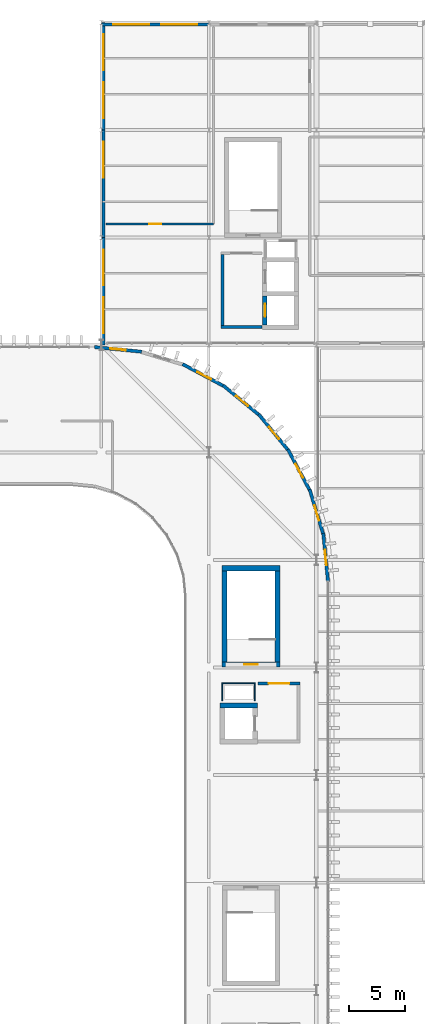
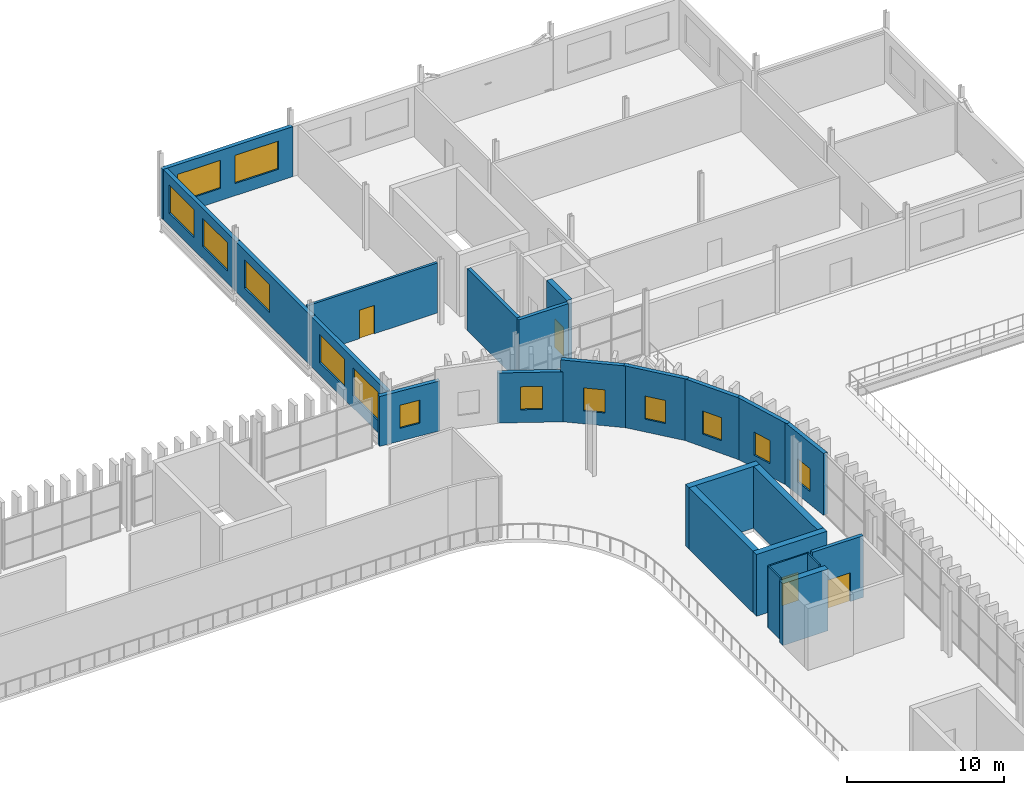
# One storey, part 35 of 45: 24 walls, 14 windows, 4 doors, 18 openings.
"""IFC4 building model written with IfcOpenShell, lengths in metres."""

import ifcopenshell
import ifcopenshell.guid

model = None  # the IFC model being written
_history = None  # IfcOwnerHistory: only IFC2X3 demands one
_inside = {}  # id of a spatial element -> (the spatial element, [elements in it])
_under = {}  # id of a project, library or spatial element -> (it, [spatial elements below it])
_declared = {}  # id of a project -> (the project, [libraries it declares])
_typed = {}  # id of a type object -> (the type object, [elements of that type])
_made_of = {}  # id of a material, layer set ... -> (it, [elements and type objects made of it])


def new_model(schema):
    """Start an empty IFC model of exactly this schema.

    Asked for "IFC4X3", IfcOpenShell would pick the latest addendum, in which some entities
    have other attributes; the version numbers below select the first issue.
    IFC2X3 requires an IfcOwnerHistory on every rooted entity: one is made here for all.
    """
    global model, _history
    if schema == "IFC4X3":
        model = ifcopenshell.file(schema_version=(4, 3, 0, 0))
    else:
        model = ifcopenshell.file(schema=schema)
    _inside.clear()
    _under.clear()
    _declared.clear()
    _typed.clear()
    _made_of.clear()
    _history = None
    if model.schema == "IFC2X3":
        org = make("IfcOrganization", Name="unknown")
        user = make(
            "IfcPersonAndOrganization",
            ThePerson=make("IfcPerson", FamilyName="unknown"),
            TheOrganization=org,
        )
        app = make(
            "IfcApplication",
            ApplicationDeveloper=org,
            Version="unknown",
            ApplicationFullName="unknown",
            ApplicationIdentifier="unknown",
        )
        _history = make(
            "IfcOwnerHistory",
            OwningUser=user,
            OwningApplication=app,
            ChangeAction="ADDED",
            CreationDate=0,
        )
    return model


def make(cls, **values):
    """One entity of the class cls with the attributes given. An attribute that is None is left unset."""
    return model.create_entity(
        cls, **{name: value for name, value in values.items() if value is not None}
    )


def rooted(cls, **values):
    """An entity with a GlobalId (a new one), such as an element, a storey or a relation."""
    return make(cls, GlobalId=ifcopenshell.guid.new(), OwnerHistory=_history, **values)


def si_unit(unit_type, name, prefix=None):
    """IfcSIUnit, for example si_unit("LENGTHUNIT", "METRE", prefix="MILLI")."""
    return make("IfcSIUnit", UnitType=unit_type, Prefix=prefix, Name=name)


def assignment(units):
    """IfcUnitAssignment: the units of a project."""
    return None if units is None else make("IfcUnitAssignment", Units=units)


def point(xyz):
    """IfcCartesianPoint."""
    return None if xyz is None else make("IfcCartesianPoint", Coordinates=xyz)


def direction(xyz):
    """IfcDirection."""
    return None if xyz is None else make("IfcDirection", DirectionRatios=xyz)


def frame(location, z_axis=None, x_axis=None):
    """IfcAxis2Placement3D, a coordinate frame: its origin and axes. An axis left out is left unset."""
    return make(
        "IfcAxis2Placement3D",
        Location=point(location),
        Axis=direction(z_axis),
        RefDirection=direction(x_axis),
    )


def frame_2d(location, x_axis=None):
    """IfcAxis2Placement2D, a coordinate frame in the plane: its origin and x axis."""
    return make(
        "IfcAxis2Placement2D", Location=point(location), RefDirection=direction(x_axis)
    )


def origin():
    """The frame at (0, 0, 0) with its axes left unset."""
    return frame((0.0, 0.0, 0.0))


def place(relative_to, where):
    """IfcLocalPlacement: puts the frame where relative to a parent placement (None: the world)."""
    return make(
        "IfcLocalPlacement", PlacementRelTo=relative_to, RelativePlacement=where
    )


def context(
    kind, dimensions, precision=None, world=None, true_north=None, identifier=None
):
    """IfcGeometricRepresentationContext, for example the 3D "Model" context."""
    return make(
        "IfcGeometricRepresentationContext",
        ContextIdentifier=identifier,
        ContextType=kind,
        CoordinateSpaceDimension=dimensions,
        Precision=precision,
        WorldCoordinateSystem=world,
        TrueNorth=true_north,
    )


def subcontext(parent, identifier, kind, view, scale=None):
    """IfcGeometricRepresentationSubContext, for example "Body" below "Model"."""
    return make(
        "IfcGeometricRepresentationSubContext",
        ContextIdentifier=identifier,
        ContextType=kind,
        ParentContext=parent,
        TargetScale=scale,
        TargetView=view,
    )


def project(units=None, contexts=None):
    """IfcProject with its units and contexts."""
    return rooted(
        "IfcProject",
        Name="project",
        RepresentationContexts=contexts,
        UnitsInContext=assignment(units),
    )


def spatial(cls, under=None, at=None, **own):
    """A site, building, storey or space (cls), placed at a placement, below another one or the project."""
    s = rooted(cls, ObjectPlacement=at, **own)
    if under is not None:
        _under.setdefault(under.id(), (under, []))[1].append(s)
    return s


def profile(cls, at=None, kind="AREA", **sizes):
    """A parametric profile (cls). Its sizes go by their IFC names, for example OverallWidth=200.0."""
    return make(cls, ProfileType=kind, Position=at, **sizes)


def rectangle(**sizes):
    """IfcRectangleProfileDef."""
    return profile("IfcRectangleProfileDef", **sizes)


def extrude(swept, where, along, depth):
    """IfcExtrudedAreaSolid: the profile swept, set in the frame where, extruded along a direction by depth."""
    return make(
        "IfcExtrudedAreaSolid",
        SweptArea=swept,
        Position=where,
        ExtrudedDirection=direction(along),
        Depth=depth,
    )


def shape(context_of_items, identifier, shape_type, items):
    """IfcShapeRepresentation: the items that make up one representation, for example the "Body"."""
    return make(
        "IfcShapeRepresentation",
        ContextOfItems=context_of_items,
        RepresentationIdentifier=identifier,
        RepresentationType=shape_type,
        Items=items,
    )


def material(Name=None, Category=None):
    """IfcMaterial."""
    return make("IfcMaterial", Name=Name, Category=Category)


def layer(
    of_material, thickness, ventilated=None, Name=None, Category=None, Priority=None
):
    """IfcMaterialLayer: one layer of a wall or slab, of a material (None: an air gap)."""
    return make(
        "IfcMaterialLayer",
        Material=of_material,
        LayerThickness=thickness,
        IsVentilated=ventilated,
        Name=Name,
        Category=Category,
        Priority=Priority,
    )


def layer_set(layers, Name=None):
    """IfcMaterialLayerSet."""
    return make("IfcMaterialLayerSet", MaterialLayers=layers, LayerSetName=Name)


def made_of(thing, what):
    """Note that an element or type object is made of a material, layer set ...; save() writes the relation."""
    if what is not None:
        _made_of.setdefault(what.id(), (what, []))[1].append(thing)
    return thing


def type_object(cls, material=None, **own):
    """A type object (cls), such as IfcWallType, which elements share."""
    return made_of(rooted(cls, **own), material)


def element(
    cls,
    number,
    at=None,
    inside=None,
    cuts=None,
    type_object=None,
    material=None,
    context=None,
    identifier="Body",
    shape_type=None,
    held_by="IfcProductDefinitionShape",
    body=None,
    shapes=None,
    **own,
):
    """One element of the class cls, such as IfcWall. Its Tag is "e" and its number.

    at: its placement. inside: the storey or other place that contains it. cuts: it is an
    opening in that element (IfcRelVoidsElement). A single representation is given by context,
    identifier, shape_type and body (its items); several are given by shapes. held_by: the class
    of the entity that holds the representations. save() writes the other relations.
    """
    e = rooted(cls, Tag="e%d" % number, ObjectPlacement=at, **own)
    if body is not None:
        shapes = [shape(context, identifier, shape_type, body)]
    if shapes is not None:
        e.Representation = make(held_by, Representations=shapes)
    if inside is not None:
        _inside.setdefault(inside.id(), (inside, []))[1].append(e)
    if cuts is not None:
        rooted(
            "IfcRelVoidsElement", RelatingBuildingElement=cuts, RelatedOpeningElement=e
        )
    if type_object is not None:
        _typed.setdefault(type_object.id(), (type_object, []))[1].append(e)
    return made_of(e, material)


def fill(opening, filler):
    """IfcRelFillsElement: the door or window that sits in an opening."""
    return rooted(
        "IfcRelFillsElement",
        RelatingOpeningElement=opening,
        RelatedBuildingElement=filler,
    )


def aggregate(whole, parts):
    """IfcRelAggregates: a whole, such as a stair, and the parts it consists of."""
    return rooted("IfcRelAggregates", RelatingObject=whole, RelatedObjects=parts)


def save(model, path):
    """Write the relations noted so far, then the file.

    IfcRelAggregates (storeys below a building ...), IfcRelContainedInSpatialStructure (elements
    in a storey), IfcRelDefinesByType, IfcRelAssociatesMaterial and IfcRelDeclares: one each for
    every whole, place, type object, material and project.
    """
    for whole, parts in _under.values():
        aggregate(whole, parts)
    for where, things in _inside.values():
        rooted(
            "IfcRelContainedInSpatialStructure",
            RelatedElements=things,
            RelatingStructure=where,
        )
    for kind, things in _typed.values():
        rooted("IfcRelDefinesByType", RelatedObjects=things, RelatingType=kind)
    for what, things in _made_of.values():
        rooted("IfcRelAssociatesMaterial", RelatedObjects=things, RelatingMaterial=what)
    for by, libraries in _declared.values():
        rooted("IfcRelDeclares", RelatingContext=by, RelatedDefinitions=libraries)
    model.write(path)


model = new_model("IFC4")

# Units and contexts
model_context = context("Model", 3, precision=1e-05, world=origin(), true_north=direction((0.0, 1.0)))
body_context = subcontext(model_context, "Body", "Model", "MODEL_VIEW")
ifc_project = project(units=[si_unit("LENGTHUNIT", "METRE"), si_unit("AREAUNIT", "SQUARE_METRE"), si_unit("VOLUMEUNIT", "CUBIC_METRE"), si_unit("PLANEANGLEUNIT", "RADIAN"), si_unit("MASSUNIT", "GRAM", prefix="KILO")], contexts=[model_context])

# Site, building, storey
site_placement = place(None, origin())
site = spatial("IfcSite", under=ifc_project, at=site_placement, CompositionType="ELEMENT")
building_placement = place(site_placement, origin())
building = spatial("IfcBuilding", under=site, at=building_placement, Name="Caelomonte Colonnade Arena", CompositionType="ELEMENT")
storey_placement = place(building_placement, frame((0.0, 0.0, 23.10009765625)))
storey = spatial("IfcBuildingStorey", under=building, at=storey_placement, Name="L05", CompositionType="ELEMENT", Elevation=23.10009765625)

# Wall, openings, windows
ifc_material_1 = material(Name="Precast concrete C40/50", Category="concrete")
ifc_layer_1 = layer(ifc_material_1, 0.2900390625)
ifc_layer_set_1 = layer_set([ifc_layer_1], Name="Precast concrete C40/50")
wall_type_1 = type_object("IfcWallType", Name="ENV-WL-EXT29", PredefinedType="SOLIDWALL", material=ifc_layer_set_1)
wall_1_placement = place(storey_placement, frame((153.60009765625, 143.820068359375, 0.0), z_axis=(0.0, 0.0, 1.0), x_axis=(-1.0, 0.0, 0.0)))
wall_1 = element("IfcWall", 1, at=wall_1_placement, inside=storey, type_object=wall_type_1, Name="L05 exterior wall EW-L05-0335", PredefinedType="SOLIDWALL", context=body_context, shape_type="SweptSolid", body=[
    extrude(rectangle(XDim=9.60009765625, YDim=0.2900390625, at=frame_2d((4.800048828125, 0.0))), origin(), (0.0, 0.0, 1.0), 3.905517578125),
])
opening_1_placement = place(wall_1_placement, frame((4.2666015625, 0.0, 0.949951171875), z_axis=(0.0, 0.0, 1.0), x_axis=(-1.0, 0.0, 0.0)))
opening_1 = element("IfcOpeningElement", 2, at=opening_1_placement, cuts=wall_1, Name="Opening WN-15", PredefinedType="OPENING", context=body_context, shape_type="SweptSolid", body=[
    extrude(rectangle(XDim=3.199951171875, YDim=2.199951171875, at=frame_2d((1.60009765625, 1.10009765625))), frame((0.0, 0.155029296875, 0.0), z_axis=(0.0, -1.0, 0.0), x_axis=(1.0, 0.0, 0.0)), (0.0, 0.0, 1.0), 0.31005859375),
])
opening_2_placement = place(wall_1_placement, frame((8.533203125, 0.0, 0.949951171875), z_axis=(0.0, 0.0, 1.0), x_axis=(-1.0, 0.0, 0.0)))
opening_2 = element("IfcOpeningElement", 3, at=opening_2_placement, cuts=wall_1, Name="Opening WN-15", PredefinedType="OPENING", context=body_context, shape_type="SweptSolid", body=[
    extrude(rectangle(XDim=3.199951171875, YDim=2.199951171875, at=frame_2d((1.60009765625, 1.10009765625))), frame((0.0, 0.155029296875, 0.0), z_axis=(0.0, -1.0, 0.0), x_axis=(1.0, 0.0, 0.0)), (0.0, 0.0, 1.0), 0.31005859375),
])
ifc_material_2 = material(Name="Solar-control bronze low-E double glazing", Category="glass")
window_type_1 = type_object("IfcWindowType", Name="ENV-WN-MED", PartitioningType="TRIPLE_PANEL_VERTICAL", PredefinedType="WINDOW", material=ifc_material_2)
window_1_placement = place(opening_1_placement, origin())
window_1 = element("IfcWindow", 4, at=window_1_placement, inside=storey, type_object=window_type_1, Name="L05 facade window 291", OverallHeight=2.199951171875, OverallWidth=3.199951171875, PartitioningType="SINGLE_PANEL", PredefinedType="WINDOW", context=body_context, shape_type="SweptSolid", body=[
    extrude(rectangle(XDim=3.199951171875, YDim=2.199951171875, at=frame_2d((1.60009765625, 1.10009765625))), frame((0.0, 0.030029296875, 0.0), z_axis=(0.0, -1.0, 0.0), x_axis=(1.0, 0.0, 0.0)), (0.0, 0.0, 1.0), 0.06005859375),
])
fill(opening_1, window_1)
window_2_placement = place(opening_2_placement, origin())
window_2 = element("IfcWindow", 5, at=window_2_placement, inside=storey, type_object=window_type_1, Name="L05 facade window 292", OverallHeight=2.199951171875, OverallWidth=3.199951171875, PartitioningType="SINGLE_PANEL", PredefinedType="WINDOW", context=body_context, shape_type="SweptSolid", body=[
    extrude(rectangle(XDim=3.199951171875, YDim=2.199951171875, at=frame_2d((1.60009765625, 1.10009765625))), frame((0.0, 0.030029296875, 0.0), z_axis=(0.0, -1.0, 0.0), x_axis=(1.0, 0.0, 0.0)), (0.0, 0.0, 1.0), 0.06005859375),
])
fill(opening_2, window_2)

wall_2_placement = place(storey_placement, frame((144.179931640625, 144.0, 0.0), z_axis=(0.0, 0.0, 1.0), x_axis=(0.0, -1.0, 0.0)))
wall_2 = element("IfcWall", 6, at=wall_2_placement, inside=storey, type_object=wall_type_1, Name="L05 exterior wall EW-L05-0336", PredefinedType="SOLIDWALL", context=body_context, shape_type="SweptSolid", body=[
    extrude(rectangle(XDim=9.60009765625, YDim=0.2900390625, at=frame_2d((4.800048828125, 0.0))), origin(), (0.0, 0.0, 1.0), 3.905517578125),
])
opening_3_placement = place(wall_2_placement, frame((4.2666015625, 0.0, 0.949951171875), z_axis=(0.0, 0.0, 1.0), x_axis=(-1.0, 0.0, 0.0)))
opening_3 = element("IfcOpeningElement", 7, at=opening_3_placement, cuts=wall_2, Name="Opening WN-15", PredefinedType="OPENING", context=body_context, shape_type="SweptSolid", body=[
    extrude(rectangle(XDim=3.199951171875, YDim=2.199951171875, at=frame_2d((1.60009765625, 1.10009765625))), frame((0.0, 0.155029296875, 0.0), z_axis=(0.0, -1.0, 0.0), x_axis=(1.0, 0.0, 0.0)), (0.0, 0.0, 1.0), 0.31005859375),
])
opening_4_placement = place(wall_2_placement, frame((8.533203125, 0.0, 0.949951171875), z_axis=(0.0, 0.0, 1.0), x_axis=(-1.0, 0.0, 0.0)))
opening_4 = element("IfcOpeningElement", 8, at=opening_4_placement, cuts=wall_2, Name="Opening WN-15", PredefinedType="OPENING", context=body_context, shape_type="SweptSolid", body=[
    extrude(rectangle(XDim=3.199951171875, YDim=2.199951171875, at=frame_2d((1.60009765625, 1.10009765625))), frame((0.0, 0.155029296875, 0.0), z_axis=(0.0, -1.0, 0.0), x_axis=(1.0, 0.0, 0.0)), (0.0, 0.0, 1.0), 0.31005859375),
])
window_3_placement = place(opening_3_placement, origin())
window_3 = element("IfcWindow", 9, at=window_3_placement, inside=storey, type_object=window_type_1, Name="L05 facade window 293", OverallHeight=2.199951171875, OverallWidth=3.199951171875, PartitioningType="SINGLE_PANEL", PredefinedType="WINDOW", context=body_context, shape_type="SweptSolid", body=[
    extrude(rectangle(XDim=3.199951171875, YDim=2.199951171875, at=frame_2d((1.60009765625, 1.10009765625))), frame((0.0, 0.030029296875, 0.0), z_axis=(0.0, -1.0, 0.0), x_axis=(1.0, 0.0, 0.0)), (0.0, 0.0, 1.0), 0.06005859375),
])
fill(opening_3, window_3)
window_4_placement = place(opening_4_placement, origin())
window_4 = element("IfcWindow", 10, at=window_4_placement, inside=storey, type_object=window_type_1, Name="L05 facade window 294", OverallHeight=2.199951171875, OverallWidth=3.199951171875, PartitioningType="SINGLE_PANEL", PredefinedType="WINDOW", context=body_context, shape_type="SweptSolid", body=[
    extrude(rectangle(XDim=3.199951171875, YDim=2.199951171875, at=frame_2d((1.60009765625, 1.10009765625))), frame((0.0, 0.030029296875, 0.0), z_axis=(0.0, -1.0, 0.0), x_axis=(1.0, 0.0, 0.0)), (0.0, 0.0, 1.0), 0.06005859375),
])
fill(opening_4, window_4)

# Wall, opening, window
wall_3_placement = place(storey_placement, frame((144.179931640625, 134.39990234375, 0.0), z_axis=(0.0, 0.0, 1.0), x_axis=(0.0, -1.0, 0.0)))
wall_3 = element("IfcWall", 11, at=wall_3_placement, inside=storey, type_object=wall_type_1, Name="L05 exterior wall EW-L05-0337", PredefinedType="SOLIDWALL", context=body_context, shape_type="SweptSolid", body=[
    extrude(rectangle(XDim=9.599853515625, YDim=0.2900390625, at=frame_2d((4.7998046875, 0.0))), origin(), (0.0, 0.0, 1.0), 3.905517578125),
])
opening_5_placement = place(wall_3_placement, frame((4.2666015625, 0.0, 0.949951171875), z_axis=(0.0, 0.0, 1.0), x_axis=(-1.0, 0.0, 0.0)))
opening_5 = element("IfcOpeningElement", 12, at=opening_5_placement, cuts=wall_3, Name="Opening WN-15", PredefinedType="OPENING", context=body_context, shape_type="SweptSolid", body=[
    extrude(rectangle(XDim=3.199951171875, YDim=2.199951171875, at=frame_2d((1.60009765625, 1.10009765625))), frame((0.0, 0.155029296875, 0.0), z_axis=(0.0, -1.0, 0.0), x_axis=(1.0, 0.0, 0.0)), (0.0, 0.0, 1.0), 0.31005859375),
])
window_5_placement = place(opening_5_placement, origin())
window_5 = element("IfcWindow", 13, at=window_5_placement, inside=storey, type_object=window_type_1, Name="L05 facade window 295", OverallHeight=2.199951171875, OverallWidth=3.199951171875, PartitioningType="SINGLE_PANEL", PredefinedType="WINDOW", context=body_context, shape_type="SweptSolid", body=[
    extrude(rectangle(XDim=3.199951171875, YDim=2.199951171875, at=frame_2d((1.60009765625, 1.10009765625))), frame((0.0, 0.030029296875, 0.0), z_axis=(0.0, -1.0, 0.0), x_axis=(1.0, 0.0, 0.0)), (0.0, 0.0, 1.0), 0.06005859375),
])
fill(opening_5, window_5)

# Wall, openings, windows
wall_4_placement = place(storey_placement, frame((144.179931640625, 124.800048828125, 0.0), z_axis=(0.0, 0.0, 1.0), x_axis=(0.0, -1.0, 0.0)))
wall_4 = element("IfcWall", 14, at=wall_4_placement, inside=storey, type_object=wall_type_1, Name="L05 exterior wall EW-L05-0338", PredefinedType="SOLIDWALL", context=body_context, shape_type="SweptSolid", body=[
    extrude(rectangle(XDim=9.60009765625, YDim=0.2900390625, at=frame_2d((4.800048828125, 0.0))), origin(), (0.0, 0.0, 1.0), 3.892822265625),
])
opening_6_placement = place(wall_4_placement, frame((4.2666015625, 0.0, 0.949951171875), z_axis=(0.0, 0.0, 1.0), x_axis=(-1.0, 0.0, 0.0)))
opening_6 = element("IfcOpeningElement", 15, at=opening_6_placement, cuts=wall_4, Name="Opening WN-15", PredefinedType="OPENING", context=body_context, shape_type="SweptSolid", body=[
    extrude(rectangle(XDim=3.199951171875, YDim=2.199951171875, at=frame_2d((1.60009765625, 1.10009765625))), frame((0.0, 0.155029296875, 0.0), z_axis=(0.0, -1.0, 0.0), x_axis=(1.0, 0.0, 0.0)), (0.0, 0.0, 1.0), 0.31005859375),
])
opening_7_placement = place(wall_4_placement, frame((8.533203125, 0.0, 0.949951171875), z_axis=(0.0, 0.0, 1.0), x_axis=(-1.0, 0.0, 0.0)))
opening_7 = element("IfcOpeningElement", 16, at=opening_7_placement, cuts=wall_4, Name="Opening WN-15", PredefinedType="OPENING", context=body_context, shape_type="SweptSolid", body=[
    extrude(rectangle(XDim=3.199951171875, YDim=2.199951171875, at=frame_2d((1.60009765625, 1.10009765625))), frame((0.0, 0.155029296875, 0.0), z_axis=(0.0, -1.0, 0.0), x_axis=(1.0, 0.0, 0.0)), (0.0, 0.0, 1.0), 0.31005859375),
])
window_6_placement = place(opening_6_placement, origin())
window_6 = element("IfcWindow", 17, at=window_6_placement, inside=storey, type_object=window_type_1, Name="L05 facade window 296", OverallHeight=2.199951171875, OverallWidth=3.199951171875, PartitioningType="SINGLE_PANEL", PredefinedType="WINDOW", context=body_context, shape_type="SweptSolid", body=[
    extrude(rectangle(XDim=3.199951171875, YDim=2.199951171875, at=frame_2d((1.60009765625, 1.10009765625))), frame((0.0, 0.030029296875, 0.0), z_axis=(0.0, -1.0, 0.0), x_axis=(1.0, 0.0, 0.0)), (0.0, 0.0, 1.0), 0.06005859375),
])
fill(opening_6, window_6)
window_7_placement = place(opening_7_placement, origin())
window_7 = element("IfcWindow", 18, at=window_7_placement, inside=storey, type_object=window_type_1, Name="L05 facade window 297", OverallHeight=2.199951171875, OverallWidth=3.199951171875, PartitioningType="SINGLE_PANEL", PredefinedType="WINDOW", context=body_context, shape_type="SweptSolid", body=[
    extrude(rectangle(XDim=3.199951171875, YDim=2.199951171875, at=frame_2d((1.60009765625, 1.10009765625))), frame((0.0, 0.030029296875, 0.0), z_axis=(0.0, -1.0, 0.0), x_axis=(1.0, 0.0, 0.0)), (0.0, 0.0, 1.0), 0.06005859375),
])
fill(opening_7, window_7)

# Wall, opening, window
wall_5_placement = place(storey_placement, frame((164.232666015625, 94.06298828125, 0.0), z_axis=(0.0, 0.0, 1.0), x_axis=(-0.098011100141, 0.99518532156, 0.0)))
wall_5 = element("IfcWall", 19, at=wall_5_placement, inside=storey, type_object=wall_type_1, Name="L05 exterior wall EW-L05-0357", PredefinedType="SOLIDWALL", context=body_context, shape_type="SweptSolid", body=[
    extrude(rectangle(XDim=4.356689453125, YDim=0.2900390625, at=frame_2d((2.17822265625, 0.0))), origin(), (0.0, 0.0, 1.0), 4.81982421875),
])
opening_8_placement = place(wall_5_placement, frame((2.87841796875, 0.0, 1.0), z_axis=(0.0, 0.0, 1.0), x_axis=(-1.0, 0.0, 0.0)))
opening_8 = element("IfcOpeningElement", 20, at=opening_8_placement, cuts=wall_5, Name="Opening WN-09", PredefinedType="OPENING", context=body_context, shape_type="SweptSolid", body=[
    extrude(rectangle(XDim=1.39990234375, YDim=1.800048828125, at=frame_2d((0.699951171875, 0.89990234375))), frame((0.0, 0.155029296875, 0.0), z_axis=(0.0, -1.0, 0.0), x_axis=(1.0, 0.0, 0.0)), (0.0, 0.0, 1.0), 0.31005859375),
])
window_type_2 = type_object("IfcWindowType", Name="ENV-WN-V4F", PartitioningType="SINGLE_PANEL", PredefinedType="WINDOW", material=ifc_material_2)
window_8_placement = place(opening_8_placement, origin())
window_8 = element("IfcWindow", 21, at=window_8_placement, inside=storey, type_object=window_type_2, Name="L05 facade window 318", OverallHeight=1.800048828125, OverallWidth=1.39990234375, PartitioningType="SINGLE_PANEL", PredefinedType="WINDOW", context=body_context, shape_type="SweptSolid", body=[
    extrude(rectangle(XDim=1.39990234375, YDim=1.800048828125, at=frame_2d((0.699951171875, 0.89990234375))), frame((0.0, 0.030029296875, 0.0), z_axis=(0.0, -1.0, 0.0), x_axis=(1.0, 0.0, 0.0)), (0.0, 0.0, 1.0), 0.06005859375),
])
fill(opening_8, window_8)

wall_6_placement = place(storey_placement, frame((163.859130859375, 98.1298828125, 0.0), z_axis=(0.0, 0.0, 1.0), x_axis=(-0.290271780936, 0.956944247693, 0.0)))
wall_6 = element("IfcWall", 22, at=wall_6_placement, inside=storey, type_object=wall_type_1, Name="L05 exterior wall EW-L05-0358", PredefinedType="SOLIDWALL", context=body_context, shape_type="SweptSolid", body=[
    extrude(rectangle(XDim=4.356689453125, YDim=0.2900390625, at=frame_2d((2.17822265625, 0.0))), origin(), (0.0, 0.0, 1.0), 4.81982421875),
])
opening_9_placement = place(wall_6_placement, frame((2.87841796875, 0.0, 1.0), z_axis=(0.0, 0.0, 1.0), x_axis=(-1.0, 0.0, 0.0)))
opening_9 = element("IfcOpeningElement", 23, at=opening_9_placement, cuts=wall_6, Name="Opening WN-09", PredefinedType="OPENING", context=body_context, shape_type="SweptSolid", body=[
    extrude(rectangle(XDim=1.39990234375, YDim=1.800048828125, at=frame_2d((0.699951171875, 0.89990234375))), frame((0.0, 0.155029296875, 0.0), z_axis=(0.0, -1.0, 0.0), x_axis=(1.0, 0.0, 0.0)), (0.0, 0.0, 1.0), 0.31005859375),
])
window_9_placement = place(opening_9_placement, origin())
window_9 = element("IfcWindow", 24, at=window_9_placement, inside=storey, type_object=window_type_2, Name="L05 facade window 319", OverallHeight=1.800048828125, OverallWidth=1.39990234375, PartitioningType="SINGLE_PANEL", PredefinedType="WINDOW", context=body_context, shape_type="SweptSolid", body=[
    extrude(rectangle(XDim=1.39990234375, YDim=1.800048828125, at=frame_2d((0.699951171875, 0.89990234375))), frame((0.0, 0.030029296875, 0.0), z_axis=(0.0, -1.0, 0.0), x_axis=(1.0, 0.0, 0.0)), (0.0, 0.0, 1.0), 0.06005859375),
])
fill(opening_9, window_9)

wall_7_placement = place(storey_placement, frame((162.69921875, 102.045654296875, 0.0), z_axis=(0.0, 0.0, 1.0), x_axis=(-0.471390797968, 0.881924438709, 0.0)))
wall_7 = element("IfcWall", 25, at=wall_7_placement, inside=storey, type_object=wall_type_1, Name="L05 exterior wall EW-L05-0359", PredefinedType="SOLIDWALL", context=body_context, shape_type="SweptSolid", body=[
    extrude(rectangle(XDim=4.356689453125, YDim=0.2900390625, at=frame_2d((2.17822265625, 0.0))), origin(), (0.0, 0.0, 1.0), 4.81982421875),
])
opening_10_placement = place(wall_7_placement, frame((2.87841796875, 0.0, 1.0), z_axis=(0.0, 0.0, 1.0), x_axis=(-1.0, 0.0, 0.0)))
opening_10 = element("IfcOpeningElement", 26, at=opening_10_placement, cuts=wall_7, Name="Opening WN-09", PredefinedType="OPENING", context=body_context, shape_type="SweptSolid", body=[
    extrude(rectangle(XDim=1.39990234375, YDim=1.800048828125, at=frame_2d((0.699951171875, 0.89990234375))), frame((0.0, 0.155029296875, 0.0), z_axis=(0.0, -1.0, 0.0), x_axis=(1.0, 0.0, 0.0)), (0.0, 0.0, 1.0), 0.31005859375),
])
window_10_placement = place(opening_10_placement, origin())
window_10 = element("IfcWindow", 27, at=window_10_placement, inside=storey, type_object=window_type_2, Name="L05 facade window 320", OverallHeight=1.800048828125, OverallWidth=1.39990234375, PartitioningType="SINGLE_PANEL", PredefinedType="WINDOW", context=body_context, shape_type="SweptSolid", body=[
    extrude(rectangle(XDim=1.39990234375, YDim=1.800048828125, at=frame_2d((0.699951171875, 0.89990234375))), frame((0.0, 0.030029296875, 0.0), z_axis=(0.0, -1.0, 0.0), x_axis=(1.0, 0.0, 0.0)), (0.0, 0.0, 1.0), 0.06005859375),
])
fill(opening_10, window_10)

wall_8_placement = place(storey_placement, frame((160.7978515625, 105.659912109375, 0.0), z_axis=(0.0, 0.0, 1.0), x_axis=(-0.634384447019, 0.773017705735, 0.0)))
wall_8 = element("IfcWall", 28, at=wall_8_placement, inside=storey, type_object=wall_type_1, Name="L05 exterior wall EW-L05-0360", PredefinedType="SOLIDWALL", context=body_context, shape_type="SweptSolid", body=[
    extrude(rectangle(XDim=4.35693359375, YDim=0.2900390625, at=frame_2d((2.178466796875, 0.0))), origin(), (0.0, 0.0, 1.0), 4.81982421875),
])
opening_11_placement = place(wall_8_placement, frame((2.87841796875, 0.0, 1.0), z_axis=(0.0, 0.0, 1.0), x_axis=(-1.0, 0.0, 0.0)))
opening_11 = element("IfcOpeningElement", 29, at=opening_11_placement, cuts=wall_8, Name="Opening WN-09", PredefinedType="OPENING", context=body_context, shape_type="SweptSolid", body=[
    extrude(rectangle(XDim=1.39990234375, YDim=1.800048828125, at=frame_2d((0.699951171875, 0.89990234375))), frame((0.0, 0.155029296875, 0.0), z_axis=(0.0, -1.0, 0.0), x_axis=(1.0, 0.0, 0.0)), (0.0, 0.0, 1.0), 0.31005859375),
])
window_11_placement = place(opening_11_placement, origin())
window_11 = element("IfcWindow", 30, at=window_11_placement, inside=storey, type_object=window_type_2, Name="L05 facade window 321", OverallHeight=1.800048828125, OverallWidth=1.39990234375, PartitioningType="SINGLE_PANEL", PredefinedType="WINDOW", context=body_context, shape_type="SweptSolid", body=[
    extrude(rectangle(XDim=1.39990234375, YDim=1.800048828125, at=frame_2d((0.699951171875, 0.89990234375))), frame((0.0, 0.030029296875, 0.0), z_axis=(0.0, -1.0, 0.0), x_axis=(1.0, 0.0, 0.0)), (0.0, 0.0, 1.0), 0.06005859375),
])
fill(opening_11, window_11)

wall_9_placement = place(storey_placement, frame((158.227783203125, 108.833984375, 0.0), z_axis=(0.0, 0.0, 1.0), x_axis=(-0.772995152907, 0.634411927364, 0.0)))
wall_9 = element("IfcWall", 31, at=wall_9_placement, inside=storey, type_object=wall_type_1, Name="L05 exterior wall EW-L05-0361", PredefinedType="SOLIDWALL", context=body_context, shape_type="SweptSolid", body=[
    extrude(rectangle(XDim=4.356689453125, YDim=0.2900390625, at=frame_2d((2.17822265625, 0.0))), origin(), (0.0, 0.0, 1.0), 4.81982421875),
])
opening_12_placement = place(wall_9_placement, frame((2.87841796875, 0.0, 1.0), z_axis=(0.0, 0.0, 1.0), x_axis=(-1.0, 0.0, 0.0)))
opening_12 = element("IfcOpeningElement", 32, at=opening_12_placement, cuts=wall_9, Name="Opening WN-09", PredefinedType="OPENING", context=body_context, shape_type="SweptSolid", body=[
    extrude(rectangle(XDim=1.39990234375, YDim=1.800048828125, at=frame_2d((0.699951171875, 0.89990234375))), frame((0.0, 0.155029296875, 0.0), z_axis=(0.0, -1.0, 0.0), x_axis=(1.0, 0.0, 0.0)), (0.0, 0.0, 1.0), 0.31005859375),
])
window_12_placement = place(opening_12_placement, origin())
window_12 = element("IfcWindow", 33, at=window_12_placement, inside=storey, type_object=window_type_2, Name="L05 facade window 322", OverallHeight=1.800048828125, OverallWidth=1.39990234375, PartitioningType="SINGLE_PANEL", PredefinedType="WINDOW", context=body_context, shape_type="SweptSolid", body=[
    extrude(rectangle(XDim=1.39990234375, YDim=1.800048828125, at=frame_2d((0.699951171875, 0.89990234375))), frame((0.0, 0.030029296875, 0.0), z_axis=(0.0, -1.0, 0.0), x_axis=(1.0, 0.0, 0.0)), (0.0, 0.0, 1.0), 0.06005859375),
])
fill(opening_12, window_12)

wall_10_placement = place(storey_placement, frame((155.087890625, 111.445556640625, 0.0), z_axis=(0.0, 0.0, 1.0), x_axis=(-0.881924438709, 0.471390797968, 0.0)))
wall_10 = element("IfcWall", 34, at=wall_10_placement, inside=storey, type_object=wall_type_1, Name="L05 exterior wall EW-L05-0362", PredefinedType="SOLIDWALL", context=body_context, shape_type="SweptSolid", body=[
    extrude(rectangle(XDim=4.356689453125, YDim=0.2900390625, at=frame_2d((2.17822265625, 0.0))), origin(), (0.0, 0.0, 1.0), 3.905517578125),
])
opening_13_placement = place(wall_10_placement, frame((2.87841796875, 0.0, 1.0), z_axis=(0.0, 0.0, 1.0), x_axis=(-1.0, 0.0, 0.0)))
opening_13 = element("IfcOpeningElement", 35, at=opening_13_placement, cuts=wall_10, Name="Opening WN-09", PredefinedType="OPENING", context=body_context, shape_type="SweptSolid", body=[
    extrude(rectangle(XDim=1.39990234375, YDim=1.800048828125, at=frame_2d((0.699951171875, 0.89990234375))), frame((0.0, 0.155029296875, 0.0), z_axis=(0.0, -1.0, 0.0), x_axis=(1.0, 0.0, 0.0)), (0.0, 0.0, 1.0), 0.31005859375),
])
window_13_placement = place(opening_13_placement, origin())
window_13 = element("IfcWindow", 36, at=window_13_placement, inside=storey, type_object=window_type_2, Name="L05 facade window 323", OverallHeight=1.800048828125, OverallWidth=1.39990234375, PartitioningType="SINGLE_PANEL", PredefinedType="WINDOW", context=body_context, shape_type="SweptSolid", body=[
    extrude(rectangle(XDim=1.39990234375, YDim=1.800048828125, at=frame_2d((0.699951171875, 0.89990234375))), frame((0.0, 0.030029296875, 0.0), z_axis=(0.0, -1.0, 0.0), x_axis=(1.0, 0.0, 0.0)), (0.0, 0.0, 1.0), 0.06005859375),
])
fill(opening_13, window_13)

wall_11_placement = place(storey_placement, frame((147.5986328125, 114.605712890625, 0.0), z_axis=(0.0, 0.0, 1.0), x_axis=(-0.995184426144, 0.098020191596, 0.0)))
wall_11 = element("IfcWall", 37, at=wall_11_placement, inside=storey, type_object=wall_type_1, Name="L05 exterior wall EW-L05-0364", PredefinedType="SOLIDWALL", context=body_context, shape_type="SweptSolid", body=[
    extrude(rectangle(XDim=4.23681640625, YDim=0.2900390625, at=frame_2d((2.118408203125, 0.0))), origin(), (0.0, 0.0, 1.0), 3.892822265625),
])
opening_14_placement = place(wall_11_placement, frame((2.818359375, 0.0, 1.0), z_axis=(0.0, 0.0, 1.0), x_axis=(-1.0, 0.0, 0.0)))
opening_14 = element("IfcOpeningElement", 38, at=opening_14_placement, cuts=wall_11, Name="Opening WN-09", PredefinedType="OPENING", context=body_context, shape_type="SweptSolid", body=[
    extrude(rectangle(XDim=1.39990234375, YDim=1.800048828125, at=frame_2d((0.699951171875, 0.89990234375))), frame((0.0, 0.155029296875, 0.0), z_axis=(0.0, -1.0, 0.0), x_axis=(1.0, 0.0, 0.0)), (0.0, 0.0, 1.0), 0.31005859375),
])
window_14_placement = place(opening_14_placement, origin())
window_14 = element("IfcWindow", 39, at=window_14_placement, inside=storey, type_object=window_type_2, Name="L05 facade window 325", OverallHeight=1.800048828125, OverallWidth=1.39990234375, PartitioningType="SINGLE_PANEL", PredefinedType="WINDOW", context=body_context, shape_type="SweptSolid", body=[
    extrude(rectangle(XDim=1.39990234375, YDim=1.800048828125, at=frame_2d((0.699951171875, 0.89990234375))), frame((0.0, 0.030029296875, 0.0), z_axis=(0.0, -1.0, 0.0), x_axis=(1.0, 0.0, 0.0)), (0.0, 0.0, 1.0), 0.06005859375),
])
fill(opening_14, window_14)

# Wall, opening, door
ifc_material_3 = material(Name="Concrete C40/50", Category="concrete")
ifc_layer_2 = layer(ifc_material_3, 0.260009765625)
ifc_layer_set_2 = layer_set([ifc_layer_2], Name="Concrete C40/50")
wall_type_2 = type_object("IfcWallType", Name="INT-WL-FW26", PredefinedType="SOLIDWALL", material=ifc_layer_set_2)
wall_12_placement = place(storey_placement, frame((161.72998046875, 85.0, 0.0), z_axis=(0.0, 0.0, 1.0), x_axis=(-1.0, 0.0, 0.0)))
wall_12 = element("IfcWall", 40, at=wall_12_placement, inside=storey, type_object=wall_type_2, Name="FW-C3-LB L05 north enclosure wall", PredefinedType="SOLIDWALL", context=body_context, shape_type="SweptSolid", body=[
    extrude(rectangle(XDim=3.760009765625, YDim=0.260009765625, at=frame_2d((1.8798828125, 0.0))), origin(), (0.0, 0.0, 1.0), 4.81982421875),
])
opening_15_placement = place(wall_12_placement, frame((2.80517578125, 0.0, 0.0), z_axis=(0.0, 0.0, 1.0), x_axis=(-1.0, 0.0, 0.0)))
opening_15 = element("IfcOpeningElement", 41, at=opening_15_placement, cuts=wall_12, Name="Opening FD-2", PredefinedType="OPENING", context=body_context, shape_type="SweptSolid", body=[
    extrude(rectangle(XDim=1.85009765625, YDim=2.25, at=frame_2d((0.925048828125, 1.125))), frame((0.0, 0.139892578125, 0.0), z_axis=(0.0, -1.0, 0.0), x_axis=(1.0, 0.0, 0.0)), (0.0, 0.0, 1.0), 0.280029296875),
])
ifc_material_4 = material(Name="Fire-rated double steel door", Category="steel")
door_type_1 = type_object("IfcDoorType", Name="INT-DR-FD90B", OperationType="DOUBLE_DOOR_SINGLE_SWING", PredefinedType="DOOR", material=ifc_material_4)
door_1_placement = place(opening_15_placement, origin())
door_1 = element("IfcDoor", 42, at=door_1_placement, inside=storey, type_object=door_type_1, Name="Core C3 L05 lobby fire door", OperationType="DOUBLE_DOOR_SINGLE_SWING", OverallHeight=2.25, OverallWidth=1.85009765625, PredefinedType="DOOR", context=body_context, shape_type="SweptSolid", body=[
    extrude(rectangle(XDim=1.85009765625, YDim=2.25, at=frame_2d((0.925048828125, 1.125))), frame((0.0, 0.02490234375, 0.0), z_axis=(0.0, -1.0, 0.0), x_axis=(1.0, 0.0, 0.0)), (0.0, 0.0, 1.0), 0.050048828125),
])
fill(opening_15, door_1)

# Walls
wall_13_placement = place(storey_placement, frame((154.669921875, 116.800048828125, 0.0), z_axis=(0.0, 0.0, 1.0), x_axis=(1.0, 0.0, 0.0)))
element("IfcWall", 43, at=wall_13_placement, inside=storey, type_object=wall_type_2, Name="FW-C6-LB L05 south enclosure wall", PredefinedType="SOLIDWALL", context=body_context, shape_type="SweptSolid", body=[
    extrude(rectangle(XDim=3.66015625, YDim=0.260009765625, at=frame_2d((1.830078125, 0.0))), origin(), (0.0, 0.0, 1.0), 4.81982421875),
])
wall_14_placement = place(storey_placement, frame((154.800048828125, 123.27001953125, 0.0), z_axis=(0.0, 0.0, 1.0), x_axis=(0.0, -1.0, 0.0)))
element("IfcWall", 44, at=wall_14_placement, inside=storey, type_object=wall_type_2, Name="FW-C6-LB L05 west enclosure wall", PredefinedType="SOLIDWALL", context=body_context, shape_type="SweptSolid", body=[
    extrude(rectangle(XDim=6.340087890625, YDim=0.260009765625, at=frame_2d((3.169921875, 0.0))), origin(), (0.0, 0.0, 1.0), 4.81982421875),
])
ifc_material_5 = material(Name="Service shaft lining partition")
ifc_layer_3 = layer(ifc_material_5, 0.10009765625)
ifc_layer_set_3 = layer_set([ifc_layer_3], Name="Service shaft lining partition")
wall_type_3 = type_object("IfcWallType", Name="INT-WL-PT10", PredefinedType="PARTITIONING", material=ifc_layer_set_3)
wall_15_placement = place(storey_placement, frame((157.75, 85.0, 0.0), z_axis=(0.0, 0.0, 1.0), x_axis=(-1.0, 0.0, 0.0)))
element("IfcWall", 45, at=wall_15_placement, inside=storey, type_object=wall_type_3, Name="FW-C3-RS L05 north enclosure wall", PredefinedType="PARTITIONING", context=body_context, shape_type="SweptSolid", body=[
    extrude(rectangle(XDim=3.0, YDim=0.10009765625, at=frame_2d((1.5, 0.0))), origin(), (0.0, 0.0, 1.0), 4.81982421875),
])
for number, where, z_axis, x_axis, name in (
    (46, (154.800048828125, 84.949951171875, 0.0), (0.0, 0.0, 1.0), (0.0, -1.0, 0.0), "FW-C3-RS L05 west enclosure wall"),
    (47, (157.699951171875, 83.449951171875, 0.0), (0.0, 0.0, 1.0), (0.0, 1.0, 0.0), "FW-C3-RS L05 east enclosure wall"),
):
    element("IfcWall", number, at=place(storey_placement, frame(where, z_axis=z_axis, x_axis=x_axis)), inside=storey, type_object=wall_type_3, Name=name, PredefinedType="PARTITIONING", context=body_context, shape_type="SweptSolid", body=[
        extrude(rectangle(XDim=1.5, YDim=0.10009765625, at=frame_2d((0.75, 0.0))), origin(), (0.0, 0.0, 1.0), 4.81982421875),
    ])

# Wall, opening, door
ifc_material_6 = material(Name="Acoustic gypsum stud partition")
ifc_layer_4 = layer(ifc_material_6, 0.179931640625)
ifc_layer_set_4 = layer_set([ifc_layer_4], Name="Acoustic gypsum stud partition")
wall_type_4 = type_object("IfcWallType", Name="INT-WL-PT18", PredefinedType="PARTITIONING", material=ifc_layer_set_4)
wall_16_placement = place(storey_placement, frame((154.0, 126.0, 0.0), z_axis=(0.0, 0.0, 1.0), x_axis=(-1.0, 0.0, 0.0)))
wall_16 = element("IfcWall", 48, at=wall_16_placement, inside=storey, type_object=wall_type_4, Name="L05 Broadcast Audio and Lighting Control partition 286", PredefinedType="PARTITIONING", context=body_context, shape_type="SweptSolid", body=[
    extrude(rectangle(XDim=9.60009765625, YDim=0.179931640625, at=frame_2d((4.800048828125, 0.0))), origin(), (0.0, 0.0, 1.0), 3.905517578125),
])
opening_16_placement = place(wall_16_placement, frame((4.659912109375, 0.0, 0.0), z_axis=(0.0, 0.0, 1.0), x_axis=(1.0, 0.0, 0.0)))
opening_16 = element("IfcOpeningElement", 49, at=opening_16_placement, cuts=wall_16, Name="Opening D-L05-073", PredefinedType="OPENING", context=body_context, shape_type="SweptSolid", body=[
    extrude(rectangle(XDim=1.080078125, YDim=2.219970703125, at=frame_2d((0.5400390625, 1.10986328125))), frame((0.0, 0.099853515625, 0.0), z_axis=(0.0, -1.0, 0.0), x_axis=(1.0, 0.0, 0.0)), (0.0, 0.0, 1.0), 0.199951171875),
])
ifc_material_7 = material(Name="Acoustic broadcast studio door")
door_type_2 = type_object("IfcDoorType", Name="INT-DR-MED", OperationType="NOTDEFINED", PredefinedType="DOOR", material=ifc_material_7)
door_2_placement = place(opening_16_placement, origin())
door_2 = element("IfcDoor", 50, at=door_2_placement, inside=storey, type_object=door_type_2, Name="L05 Broadcast Audio and Lighting Control door D-L05-073", OperationType="SINGLE_SWING_LEFT", OverallHeight=2.219970703125, OverallWidth=1.080078125, PredefinedType="DOOR", context=body_context, shape_type="SweptSolid", body=[
    extrude(rectangle(XDim=1.080078125, YDim=2.219970703125, at=frame_2d((0.5400390625, 1.10986328125))), frame((0.0, 0.02490234375, 0.0), z_axis=(0.0, -1.0, 0.0), x_axis=(1.0, 0.0, 0.0)), (0.0, 0.0, 1.0), 0.050048828125),
])
fill(opening_16, door_2)

ifc_material_8 = material(Name="Concrete C50/60", Category="concrete")
ifc_layer_5 = layer(ifc_material_8, 0.39990234375)
ifc_layer_set_5 = layer_set([ifc_layer_5], Name="Concrete C50/60")
wall_type_5 = type_object("IfcWallType", Name="INT-WL-SH40", PredefinedType="SHEAR", material=ifc_layer_set_5)
wall_17_placement = place(storey_placement, frame((158.60009765625, 119.60009765625, 0.0), z_axis=(0.0, 0.0, 1.0), x_axis=(0.0, -1.0, 0.0)))
wall_17 = element("IfcWall", 51, at=wall_17_placement, inside=storey, type_object=wall_type_5, Name="CW-C6-LF L05 west enclosure wall", PredefinedType="SHEAR", context=body_context, shape_type="SweptSolid", body=[
    extrude(rectangle(XDim=2.60009765625, YDim=0.39990234375, at=frame_2d((1.300048828125, 0.0))), origin(), (0.0, 0.0, 1.0), 4.81982421875),
])
opening_17_placement = place(wall_17_placement, frame((0.72509765625, 0.0, 0.0), z_axis=(0.0, 0.0, 1.0), x_axis=(1.0, 0.0, 0.0)))
opening_17 = element("IfcOpeningElement", 52, at=opening_17_placement, cuts=wall_17, Name="Opening LD-LF-03-L05", PredefinedType="OPENING", context=body_context, shape_type="SweptSolid", body=[
    extrude(rectangle(XDim=1.14990234375, YDim=2.199951171875, at=frame_2d((0.574951171875, 1.10009765625))), frame((0.0, 0.2099609375, 0.0), z_axis=(0.0, -1.0, 0.0), x_axis=(1.0, 0.0, 0.0)), (0.0, 0.0, 1.0), 0.419921875),
])
ifc_material_9 = material(Name="Stainless steel lift landing door", Category="steel")
door_type_3 = type_object("IfcDoorType", Name="INT-DR-LD1", OperationType="SLIDING_TO_LEFT", PredefinedType="DOOR", material=ifc_material_9)
door_3_placement = place(opening_17_placement, origin())
door_3 = element("IfcDoor", 53, at=door_3_placement, inside=storey, type_object=door_type_3, Name="Lift LF-03 L05 sliding landing door", OperationType="SLIDING_TO_LEFT", OverallHeight=2.199951171875, OverallWidth=1.14990234375, PredefinedType="DOOR", context=body_context, shape_type="SweptSolid", body=[
    extrude(rectangle(XDim=1.14990234375, YDim=2.199951171875, at=frame_2d((0.574951171875, 1.10009765625))), frame((0.0, 0.02490234375, 0.0), z_axis=(0.0, -1.0, 0.0), x_axis=(1.0, 0.0, 0.0)), (0.0, 0.0, 1.0), 0.050048828125),
])
fill(opening_17, door_3)

ifc_layer_6 = layer(ifc_material_8, 0.449951171875)
ifc_layer_set_6 = layer_set([ifc_layer_6], Name="Concrete C50/60")
wall_type_6 = type_object("IfcWallType", Name="INT-WL-SH45", PredefinedType="SHEAR", material=ifc_layer_set_6)
wall_18_placement = place(storey_placement, frame((154.75, 86.675048828125, 0.0), z_axis=(0.0, 0.0, 1.0), x_axis=(1.0, 0.0, 0.0)))
wall_18 = element("IfcWall", 54, at=wall_18_placement, inside=storey, type_object=wall_type_6, Name="CW-C3-ST L05 south enclosure wall", PredefinedType="SHEAR", context=body_context, shape_type="SweptSolid", body=[
    extrude(rectangle(XDim=5.199951171875, YDim=0.449951171875, at=frame_2d((2.60009765625, 0.0))), origin(), (0.0, 0.0, 1.0), 4.81982421875),
])
opening_18_placement = place(wall_18_placement, frame((3.199951171875, 0.0, 0.0), z_axis=(0.0, 0.0, 1.0), x_axis=(-1.0, 0.0, 0.0)))
opening_18 = element("IfcOpeningElement", 55, at=opening_18_placement, cuts=wall_18, Name="Opening FD-1", PredefinedType="OPENING", context=body_context, shape_type="SweptSolid", body=[
    extrude(rectangle(XDim=1.199951171875, YDim=2.199951171875, at=frame_2d((0.60009765625, 1.10009765625))), frame((0.0, 0.23486328125, 0.0), z_axis=(0.0, -1.0, 0.0), x_axis=(1.0, 0.0, 0.0)), (0.0, 0.0, 1.0), 0.469970703125),
])
ifc_material_10 = material(Name="Fire-rated steel door", Category="steel")
door_type_4 = type_object("IfcDoorType", Name="INT-DR-FD90A", OperationType="NOTDEFINED", PredefinedType="DOOR", material=ifc_material_10)
door_4_placement = place(opening_18_placement, origin())
door_4 = element("IfcDoor", 56, at=door_4_placement, inside=storey, type_object=door_type_4, Name="Core C3 L05 exit stair fire door", OperationType="SINGLE_SWING_LEFT", OverallHeight=2.199951171875, OverallWidth=1.199951171875, PredefinedType="DOOR", context=body_context, shape_type="SweptSolid", body=[
    extrude(rectangle(XDim=1.199951171875, YDim=2.199951171875, at=frame_2d((0.60009765625, 1.10009765625))), frame((0.0, 0.02490234375, 0.0), z_axis=(0.0, -1.0, 0.0), x_axis=(1.0, 0.0, 0.0)), (0.0, 0.0, 1.0), 0.050048828125),
])
fill(opening_18, door_4)

# Walls
wall_19_placement = place(storey_placement, frame((159.949951171875, 95.27490234375, 0.0), z_axis=(0.0, 0.0, 1.0), x_axis=(-1.0, 0.0, 0.0)))
element("IfcWall", 57, at=wall_19_placement, inside=storey, type_object=wall_type_6, Name="CW-C3-ST L05 north enclosure wall", PredefinedType="SHEAR", context=body_context, shape_type="SweptSolid", body=[
    extrude(rectangle(XDim=5.199951171875, YDim=0.449951171875, at=frame_2d((2.60009765625, 0.0))), origin(), (0.0, 0.0, 1.0), 4.81982421875),
])
for number, where, z_axis, x_axis, name in (
    (58, (154.97509765625, 95.050048828125, 0.0), (0.0, 0.0, 1.0), (0.0, -1.0, 0.0), "CW-C3-ST L05 west enclosure wall"),
    (59, (159.72509765625, 86.89990234375, 0.0), (0.0, 0.0, 1.0), (0.0, 1.0, 0.0), "CW-C3-ST L05 east enclosure wall"),
):
    element("IfcWall", number, at=place(storey_placement, frame(where, z_axis=z_axis, x_axis=x_axis)), inside=storey, type_object=wall_type_6, Name=name, PredefinedType="SHEAR", context=body_context, shape_type="SweptSolid", body=[
        extrude(rectangle(XDim=8.150146484375, YDim=0.449951171875, at=frame_2d((4.0751953125, 0.0))), origin(), (0.0, 0.0, 1.0), 4.81982421875),
    ])
wall_20_placement = place(storey_placement, frame((157.925048828125, 83.0, 0.0), z_axis=(0.0, 0.0, 1.0), x_axis=(-1.0, 0.0, 0.0)))
element("IfcWall", 60, at=wall_20_placement, inside=storey, type_object=wall_type_6, Name="CW-C3-LF L05 north enclosure wall", PredefinedType="SHEAR", context=body_context, shape_type="SweptSolid", body=[
    extrude(rectangle(XDim=3.35009765625, YDim=0.449951171875, at=frame_2d((1.675048828125, 0.0))), origin(), (0.0, 0.0, 1.0), 4.81982421875),
])

save(model, "model.ifc")
